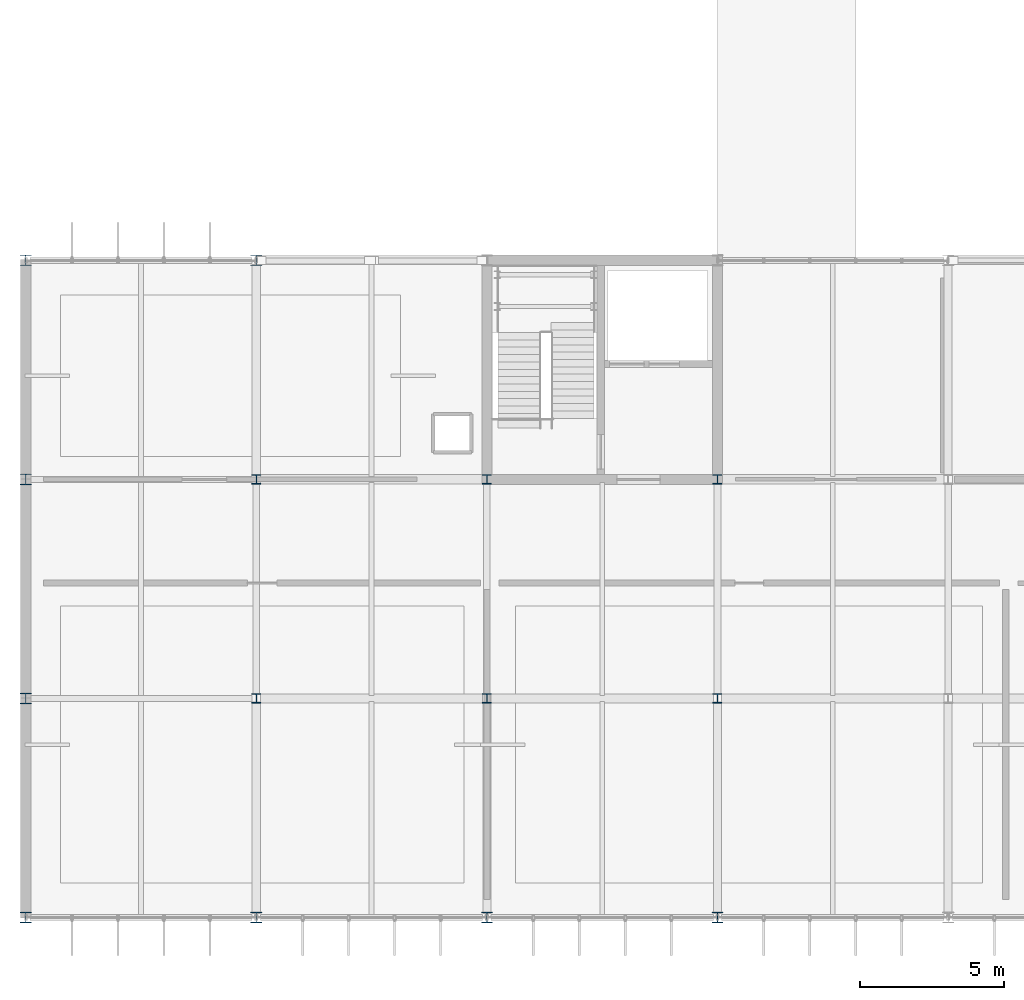
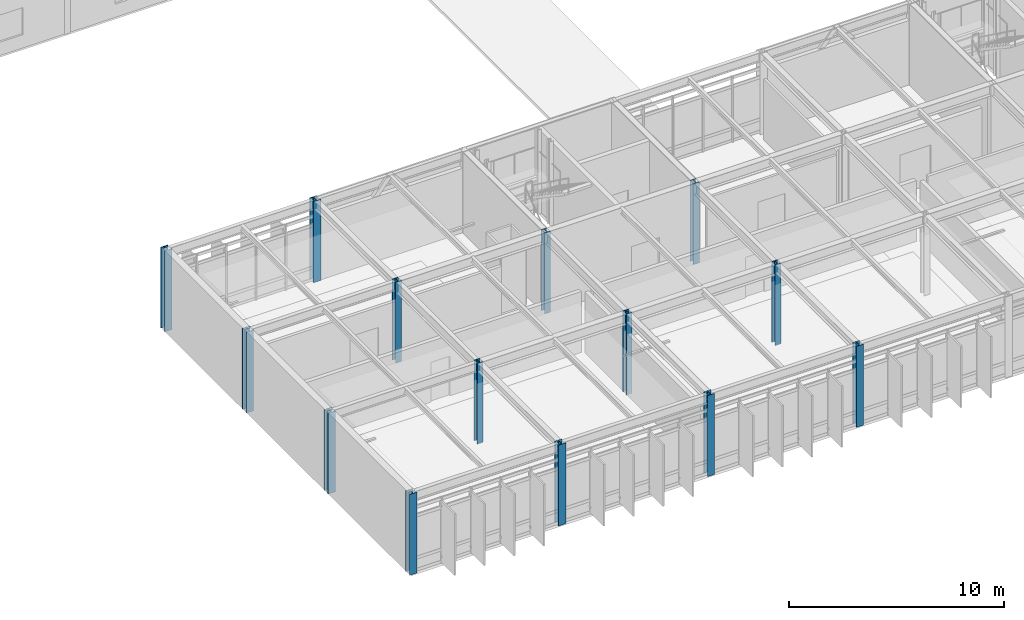
# One storey, part 1 of 100: 14 columns.
"""IFC4 building model written with IfcOpenShell, lengths in metres."""

from ifc_helpers import new_model, si_unit, direction, frame, origin, origin_2d, place, context, subcontext, project, spatial, i_section, extrude, material, material_profile, profile_set, type_object, element, save


model = new_model("IFC4")

# Units and contexts
model_context = context("Model", 3, precision=1e-05, world=origin(), true_north=direction((0.0, 1.0)))
body_context = subcontext(model_context, "Body", "Model", "MODEL_VIEW")
ifc_project = project(units=[si_unit("LENGTHUNIT", "METRE"), si_unit("AREAUNIT", "SQUARE_METRE"), si_unit("VOLUMEUNIT", "CUBIC_METRE"), si_unit("PLANEANGLEUNIT", "RADIAN"), si_unit("MASSUNIT", "GRAM", prefix="KILO")], contexts=[model_context])

# Site, building, storey
site_placement = place(None, origin())
site = spatial("IfcSite", under=ifc_project, at=site_placement, CompositionType="ELEMENT")
building_placement = place(site_placement, origin())
building = spatial("IfcBuilding", under=site, at=building_placement, Name="Zulena Civic Courthouse", CompositionType="ELEMENT")
storey_placement = place(building_placement, frame((0.0, 0.0, 20.39990234375)))
storey = spatial("IfcBuildingStorey", under=building, at=storey_placement, Name="L04", CompositionType="ELEMENT", Elevation=20.39990234375)

# Columns
ifc_material = material(Name="Steel ASTM A992 Grade 50", Category="steel")
ifc_material_profile_1 = material_profile(ifc_material, i_section(OverallWidth=0.31298828125, OverallDepth=0.3330078125, WebThickness=0.01806640625, FlangeThickness=0.0283203125, FilletRadius=0.01513671875, at=origin_2d()), Name="W12X120")
ifc_profile_set_1 = profile_set([ifc_material_profile_1], Name="Steel ASTM A992 Grade 50")
column_type_1 = type_object("IfcColumnType", Name="Col_W12X120", PredefinedType="COLUMN", material=ifc_profile_set_1)
for number, where, z_axis, x_axis, name in (
    (1, (12.0, 7.60009765625, 0.0), (0.0, 0.0, 1.0), (1.0, 0.0, 0.0), "col:V2:L04:12.0:7.6"),
    (2, (12.0, 15.199951171875, 0.0), (0.0, 0.0, 1.0), (1.0, 0.0, 0.0), "col:V2:L04:12.0:15.2"),
    (3, (20.0, 7.60009765625, 0.0), (0.0, 0.0, 1.0), (1.0, 0.0, 0.0), "col:V2:L04:20.0:7.6"),
    (4, (20.0, 15.199951171875, 0.0), (0.0, 0.0, 1.0), (1.0, 0.0, 0.0), "col:V2:L04:20.0:15.2"),
    (5, (28.0, 7.60009765625, 0.0), (0.0, 0.0, 1.0), (1.0, 0.0, 0.0), "col:V2:L04:28.0:7.6"),
    (6, (28.0, 15.199951171875, 0.0), (0.0, 0.0, 1.0), (1.0, 0.0, 0.0), "col:V2:L04:28.0:15.2"),
):
    element("IfcColumn", number, at=place(storey_placement, frame(where, z_axis=z_axis, x_axis=x_axis)), inside=storey, type_object=column_type_1, Name=name, PredefinedType="COLUMN", context=body_context, shape_type="SweptSolid", body=[
        extrude(i_section(OverallWidth=0.31298828125, OverallDepth=0.3330078125, WebThickness=0.01806640625, FlangeThickness=0.0283203125, FilletRadius=0.01513671875, at=origin_2d()), origin(), (0.0, 0.0, 1.0), 4.59521484375),
    ])
ifc_material_profile_2 = material_profile(ifc_material, i_section(OverallWidth=0.373046875, OverallDepth=0.367919921875, WebThickness=0.014892578125, FlangeThickness=0.02392578125, FilletRadius=0.01513671875, at=origin_2d()), Name="W14X120")
ifc_profile_set_2 = profile_set([ifc_material_profile_2], Name="Steel ASTM A992 Grade 50")
column_type_2 = type_object("IfcColumnType", Name="Col_W14X120", PredefinedType="COLUMN", material=ifc_profile_set_2)
for number, where, z_axis, x_axis, name in (
    (7, (20.0, 0.0, 0.0), (0.0, 0.0, 1.0), (1.0, 0.0, 0.0), "col:V2:L04:20.0:0.0"),
    (8, (28.0, 0.0, 0.0), (0.0, 0.0, 1.0), (1.0, 0.0, 0.0), "col:V2:L04:28.0:0.0"),
):
    element("IfcColumn", number, at=place(storey_placement, frame(where, z_axis=z_axis, x_axis=x_axis)), inside=storey, type_object=column_type_2, Name=name, PredefinedType="COLUMN", context=body_context, shape_type="SweptSolid", body=[
        extrude(i_section(OverallWidth=0.373046875, OverallDepth=0.367919921875, WebThickness=0.014892578125, FlangeThickness=0.02392578125, FilletRadius=0.01513671875, at=origin_2d()), origin(), (0.0, 0.0, 1.0), 4.59521484375),
    ])
ifc_material_profile_3 = material_profile(ifc_material, i_section(OverallWidth=0.39404296875, OverallDepth=0.3759765625, WebThickness=0.017333984375, FlangeThickness=0.027587890625, FilletRadius=0.01513671875, at=origin_2d()), Name="W14X145")
ifc_profile_set_3 = profile_set([ifc_material_profile_3], Name="Steel ASTM A992 Grade 50")
column_type_3 = type_object("IfcColumnType", Name="Col_W14X145", PredefinedType="COLUMN", material=ifc_profile_set_3)
for number, where, z_axis, x_axis, name in (
    (9, (4.0, 0.0, 0.0), (0.0, 0.0, 1.0), (1.0, 0.0, 0.0), "col:V2:L04:4.0:0.0"),
    (10, (4.0, 7.60009765625, 0.0), (0.0, 0.0, 1.0), (1.0, 0.0, 0.0), "col:V2:L04:4.0:7.6"),
    (11, (4.0, 15.199951171875, 0.0), (0.0, 0.0, 1.0), (1.0, 0.0, 0.0), "col:V2:L04:4.0:15.2"),
    (12, (4.0, 22.800048828125, 0.0), (0.0, 0.0, 1.0), (1.0, 0.0, 0.0), "col:V2:L04:4.0:22.8"),
    (13, (12.0, 0.0, 0.0), (0.0, 0.0, 1.0), (1.0, 0.0, 0.0), "col:V2:L04:12.0:0.0"),
    (14, (12.0, 22.800048828125, 0.0), (0.0, 0.0, 1.0), (1.0, 0.0, 0.0), "col:V2:L04:12.0:22.8"),
):
    element("IfcColumn", number, at=place(storey_placement, frame(where, z_axis=z_axis, x_axis=x_axis)), inside=storey, type_object=column_type_3, Name=name, PredefinedType="COLUMN", context=body_context, shape_type="SweptSolid", body=[
        extrude(i_section(OverallWidth=0.39404296875, OverallDepth=0.3759765625, WebThickness=0.017333984375, FlangeThickness=0.027587890625, FilletRadius=0.01513671875, at=origin_2d()), origin(), (0.0, 0.0, 1.0), 4.59521484375),
    ])

save(model, "model.ifc")
